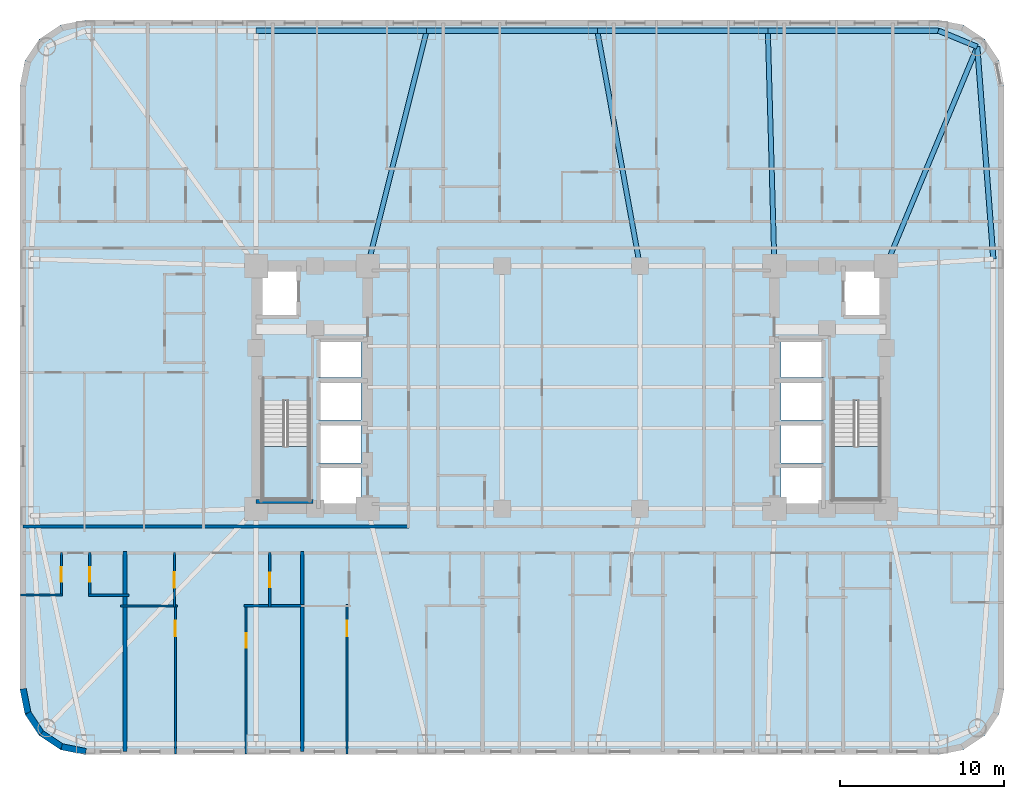
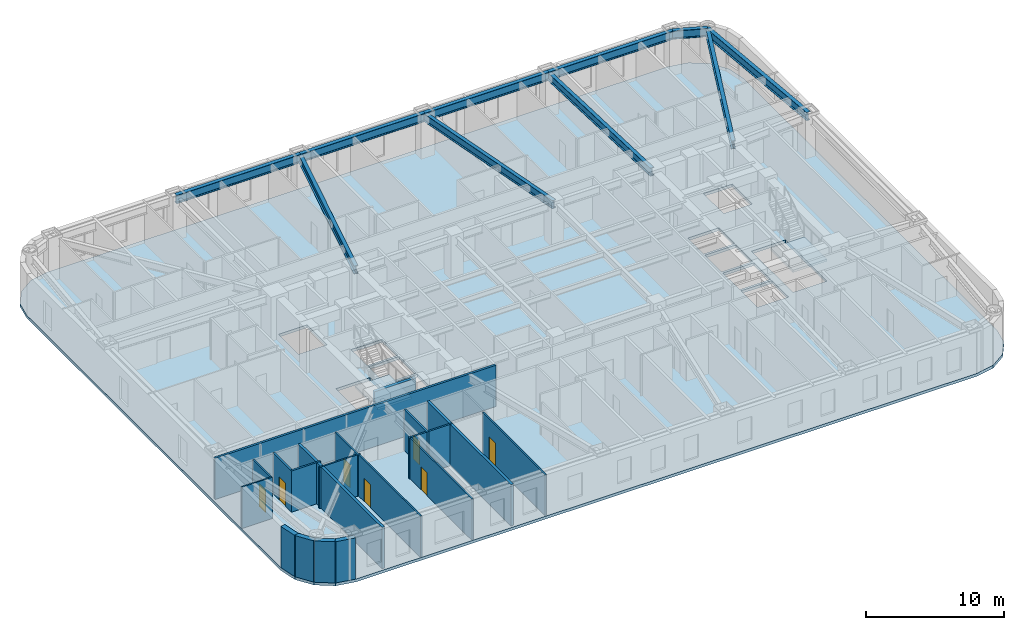
# One storey, part 2 of 11: 19 walls, 10 beams, 7 doors, 3 slabs, 7 openings, 2 elements without a shape of their own.
"""IFC4 building model written with IfcOpenShell, lengths in metres."""

from ifc_helpers import new_model, si_unit, direction, frame, frame_2d, origin, origin_2d, place, context, subcontext, project, spatial, polyline, rectangle, i_section, outline, extrude, material, layer, layer_set, material_profile, profile_set, type_object, element, fill, aggregate, save


model = new_model("IFC4")

# Units and contexts
model_context = context("Model", 3, precision=1e-05, world=origin(), true_north=direction((0.0, 1.0)))
body_context = subcontext(model_context, "Body", "Model", "MODEL_VIEW")
ifc_project = project(units=[si_unit("LENGTHUNIT", "METRE"), si_unit("AREAUNIT", "SQUARE_METRE"), si_unit("VOLUMEUNIT", "CUBIC_METRE"), si_unit("PLANEANGLEUNIT", "RADIAN"), si_unit("MASSUNIT", "GRAM", prefix="KILO")], contexts=[model_context])

# Site, building, storey
site_placement = place(None, origin())
site = spatial("IfcSite", under=ifc_project, at=site_placement, CompositionType="ELEMENT")
building_placement = place(site_placement, origin())
building = spatial("IfcBuilding", under=site, at=building_placement, Name="Voryun Gate Residences", CompositionType="ELEMENT")
storey_placement = place(building_placement, frame((0.0, 0.0, 37.699951171875)))
storey = spatial("IfcBuildingStorey", under=building, at=storey_placement, Name="L08", CompositionType="ELEMENT", Elevation=37.699951171875)

# Beams
ifc_material_1 = material(Name="Steel SM355", Category="steel")
ifc_material_profile_1 = material_profile(ifc_material_1, i_section(OverallWidth=0.320068359375, OverallDepth=0.75, WebThickness=0.01611328125, FlangeThickness=0.028076171875, FilletRadius=0.01806640625, at=origin_2d()), Name="H-750x320x16x28")
ifc_profile_set_1 = profile_set([ifc_material_profile_1], Name="Steel SM355")
beam_type_1 = type_object("IfcBeamType", Name="BM_EXO_SPANDREL_L", PredefinedType="SPANDREL", material=ifc_profile_set_1)
beam_1_placement = place(storey_placement, frame((25.75, 7.830078125, 3.275146484375), z_axis=(-0.075617360159, 0.997136908776, 0.0), x_axis=(-0.997136908776, -0.075617360159, 0.0)))
element("IfcBeam", 1, at=beam_1_placement, inside=storey, type_object=beam_type_1, Name="BM-L08-SPAND-09", PredefinedType="SPANDREL", context=body_context, shape_type="SweptSolid", body=[
    extrude(i_section(OverallWidth=0.320068359375, OverallDepth=0.75, WebThickness=0.01611328125, FlangeThickness=0.028076171875, FilletRadius=0.01806640625, at=origin_2d()), origin(), (0.0, 0.0, 1.0), 12.975830078125),
])
beam_2_placement = place(storey_placement, frame((24.768798828125, 20.768798828125, 3.275146484375), z_axis=(-0.923883376753, 0.382674151414, 0.0), x_axis=(-0.382674151414, -0.923883376753, 0.0)))
element("IfcBeam", 2, at=beam_2_placement, inside=storey, type_object=beam_type_1, Name="BM-L08-SPAND-10", PredefinedType="SPANDREL", context=body_context, shape_type="SweptSolid", body=[
    extrude(i_section(OverallWidth=0.320068359375, OverallDepth=0.75, WebThickness=0.01611328125, FlangeThickness=0.028076171875, FilletRadius=0.01806640625, at=origin_2d()), origin(), (0.0, 0.0, 1.0), 2.56396484375),
])
for number, where, z_axis, x_axis, name in (
    (3, (22.39990234375, 21.75, 3.275146484375), (-1.0, 0.0, 0.0), (0.0, -1.0, 0.0), "BM-L08-SPAND-11"),
    (4, (12.0, 21.75, 3.275146484375), (-1.0, 0.0, 0.0), (0.0, -1.0, 0.0), "BM-L08-SPAND-12"),
):
    element("IfcBeam", number, at=place(storey_placement, frame(where, z_axis=z_axis, x_axis=x_axis)), inside=storey, type_object=beam_type_1, Name=name, PredefinedType="SPANDREL", context=body_context, shape_type="SweptSolid", body=[
        extrude(i_section(OverallWidth=0.320068359375, OverallDepth=0.75, WebThickness=0.01611328125, FlangeThickness=0.028076171875, FilletRadius=0.01806640625, at=origin_2d()), origin(), (0.0, 0.0, 1.0), 10.39990234375),
    ])
beam_3_placement = place(storey_placement, frame((1.60009765625, 21.75, 3.275146484375), z_axis=(-1.0, 0.0, 0.0), x_axis=(0.0, -1.0, 0.0)))
element("IfcBeam", 5, at=beam_3_placement, inside=storey, type_object=beam_type_1, Name="BM-L08-SPAND-13", PredefinedType="SPANDREL", context=body_context, shape_type="SweptSolid", body=[
    extrude(i_section(OverallWidth=0.320068359375, OverallDepth=0.75, WebThickness=0.01611328125, FlangeThickness=0.028076171875, FilletRadius=0.01806640625, at=origin_2d()), origin(), (0.0, 0.0, 1.0), 10.400146484375),
])
beam_4_placement = place(storey_placement, frame((-8.800048828125, 21.75, 3.275146484375), z_axis=(-1.0, 0.0, 0.0), x_axis=(0.0, -1.0, 0.0)))
element("IfcBeam", 6, at=beam_4_placement, inside=storey, type_object=beam_type_1, Name="BM-L08-SPAND-14", PredefinedType="SPANDREL", context=body_context, shape_type="SweptSolid", body=[
    extrude(i_section(OverallWidth=0.320068359375, OverallDepth=0.75, WebThickness=0.01611328125, FlangeThickness=0.028076171875, FilletRadius=0.01806640625, at=origin_2d()), origin(), (0.0, 0.0, 1.0), 10.39990234375),
])
ifc_material_2 = material(Name="Steel SM355", Category="steel")
ifc_material_profile_2 = material_profile(ifc_material_2, i_section(OverallWidth=0.300048828125, OverallDepth=0.699951171875, WebThickness=0.012939453125, FlangeThickness=0.02392578125, FilletRadius=0.01806640625, at=origin_2d()), Name="H-700x300x13x24")
ifc_profile_set_2 = profile_set([ifc_material_profile_2], Name="Steel SM355")
beam_type_2 = type_object("IfcBeamType", Name="BM_GIRD_700", PredefinedType="USERDEFINED", material=ifc_profile_set_2)
beam_5_placement = place(storey_placement, frame((19.199951171875, 7.39990234375, 3.300048828125), z_axis=(0.384525607719, 0.923114324993, 0.0), x_axis=(-0.923114324993, 0.384525607719, 0.0)))
element("IfcBeam", 7, at=beam_5_placement, inside=storey, type_object=beam_type_2, Name="BM-L08-RAD-CNE", ObjectType="GIRDER", PredefinedType="USERDEFINED", context=body_context, shape_type="SweptSolid", body=[
    extrude(i_section(OverallWidth=0.300048828125, OverallDepth=0.699951171875, WebThickness=0.012939453125, FlangeThickness=0.02392578125, FilletRadius=0.01806640625, at=origin_2d()), origin(), (0.0, 0.0, 1.0), 14.482421875),
])
beam_6_placement = place(storey_placement, frame((12.39990234375, 7.39990234375, 3.300048828125), z_axis=(-0.0278567548, 0.999611925305, 0.0), x_axis=(-0.999611925305, -0.0278567548, 0.0)))
element("IfcBeam", 8, at=beam_6_placement, inside=storey, type_object=beam_type_2, Name="BM-L08-RAD-N2", ObjectType="GIRDER", PredefinedType="USERDEFINED", context=body_context, shape_type="SweptSolid", body=[
    extrude(i_section(OverallWidth=0.300048828125, OverallDepth=0.699951171875, WebThickness=0.012939453125, FlangeThickness=0.02392578125, FilletRadius=0.01806640625, at=origin_2d()), origin(), (0.0, 0.0, 1.0), 14.355712890625),
])
beam_7_placement = place(storey_placement, frame((4.199951171875, 7.39990234375, 3.300048828125), z_axis=(-0.178271088758, 0.983981411874, 0.0), x_axis=(-0.983981411874, -0.178271088758, 0.0)))
element("IfcBeam", 9, at=beam_7_placement, inside=storey, type_object=beam_type_2, Name="BM-L08-RAD-N3", ObjectType="GIRDER", PredefinedType="USERDEFINED", context=body_context, shape_type="SweptSolid", body=[
    extrude(i_section(OverallWidth=0.300048828125, OverallDepth=0.699951171875, WebThickness=0.012939453125, FlangeThickness=0.02392578125, FilletRadius=0.01806640625, at=origin_2d()), origin(), (0.0, 0.0, 1.0), 14.583740234375),
])
beam_8_placement = place(storey_placement, frame((-12.39990234375, 7.39990234375, 3.300048828125), z_axis=(0.243319869291, 0.969946102218, 0.0), x_axis=(-0.969946102218, 0.243319869291, 0.0)))
element("IfcBeam", 10, at=beam_8_placement, inside=storey, type_object=beam_type_2, Name="BM-L08-RAD-N4", ObjectType="GIRDER", PredefinedType="USERDEFINED", context=body_context, shape_type="SweptSolid", body=[
    extrude(i_section(OverallWidth=0.300048828125, OverallDepth=0.699951171875, WebThickness=0.012939453125, FlangeThickness=0.02392578125, FilletRadius=0.01806640625, at=origin_2d()), origin(), (0.0, 0.0, 1.0), 14.794677734375),
])

# Slab
ifc_material_3 = material(Name="Concrete C40/50", Category="concrete")
ifc_layer_1 = layer(ifc_material_3, 0.25, Name="SLB_RES_250")
ifc_layer_set_1 = layer_set([ifc_layer_1], Name="Concrete C40/50")
slab_type_1 = type_object("IfcSlabType", Name="SLB_RES_250", PredefinedType="FLOOR", material=ifc_layer_set_1)
slab_1_placement = place(storey_placement, frame((0.0, 0.0, -0.25)))
element("IfcSlab", 11, at=slab_1_placement, inside=storey, type_object=slab_type_1, Name="L08 Structural Floor Slab", PredefinedType="FLOOR", context=body_context, shape_type="SweptSolid", body=[
    extrude(outline(polyline([(-29.60009765625, -22.39990234375), (-31.130615234375, -22.095458984375), (-32.428466796875, -21.228515625), (-33.29541015625, -19.9306640625), (-33.60009765625, -18.39990234375), (-33.60009765625, 18.39990234375), (-33.29541015625, 19.9306640625), (-32.428466796875, 21.228515625), (-31.130615234375, 22.095458984375), (-29.60009765625, 22.39990234375), (22.39990234375, 22.39990234375), (23.9306640625, 22.095458984375), (25.228515625, 21.228515625), (26.095458984375, 19.9306640625), (26.39990234375, 18.39990234375), (26.39990234375, -18.39990234375), (26.095458984375, -19.9306640625), (25.228515625, -21.228515625), (23.9306640625, -22.095458984375), (22.39990234375, -22.39990234375), (-29.60009765625, -22.39990234375)]), holes=[polyline([(-12.800048828125, -4.800048828125), (-15.39990234375, -4.800048828125), (-15.39990234375, -7.199951171875), (-12.800048828125, -7.199951171875), (-12.800048828125, -4.800048828125)]), polyline([(-18.824951171875, -6.85009765625), (-15.97509765625, -6.85009765625), (-15.97509765625, -0.840087890625), (-18.824951171875, -0.840087890625), (-18.824951171875, -6.85009765625)]), polyline([(-12.800048828125, -4.60009765625), (-12.800048828125, -2.199951171875), (-15.39990234375, -2.199951171875), (-15.39990234375, -4.60009765625), (-12.800048828125, -4.60009765625)]), polyline([(-12.800048828125, 0.39990234375), (-15.39990234375, 0.39990234375), (-15.39990234375, -2.0), (-12.800048828125, -2.0), (-12.800048828125, 0.39990234375)]), polyline([(-12.800048828125, 0.60009765625), (-12.800048828125, 2.89990234375), (-15.39990234375, 2.89990234375), (-15.39990234375, 0.60009765625), (-12.800048828125, 0.60009765625)]), polyline([(-16.60009765625, 4.300048828125), (-16.60009765625, 7.199951171875), (-19.0, 7.199951171875), (-19.0, 4.300048828125), (-16.60009765625, 4.300048828125)]), polyline([(15.39990234375, -4.800048828125), (12.800048828125, -4.800048828125), (12.800048828125, -7.199951171875), (15.39990234375, -7.199951171875), (15.39990234375, -4.800048828125)]), polyline([(15.97509765625, -6.85009765625), (18.824951171875, -6.85009765625), (18.824951171875, -0.840087890625), (15.97509765625, -0.840087890625), (15.97509765625, -6.85009765625)]), polyline([(15.39990234375, -4.60009765625), (15.39990234375, -2.199951171875), (12.800048828125, -2.199951171875), (12.800048828125, -4.60009765625), (15.39990234375, -4.60009765625)]), polyline([(15.39990234375, 0.39990234375), (12.800048828125, 0.39990234375), (12.800048828125, -2.0), (15.39990234375, -2.0), (15.39990234375, 0.39990234375)]), polyline([(15.39990234375, 0.60009765625), (15.39990234375, 2.89990234375), (12.800048828125, 2.89990234375), (12.800048828125, 0.60009765625), (15.39990234375, 0.60009765625)]), polyline([(19.0, 4.300048828125), (19.0, 7.199951171875), (16.60009765625, 7.199951171875), (16.60009765625, 4.300048828125), (19.0, 4.300048828125)])]), origin(), (0.0, 0.0, 1.0), 0.25),
])

# Stair, slab
ifc_material_4 = material(Name="Concrete C40/50", Category="concrete")
stair_type = type_object("IfcStairType", Name="STR_CORE_DOGLEG_1350", PredefinedType="HALF_TURN_STAIR", material=ifc_material_4)
stair_1_placement = place(storey_placement, origin())
stair_1 = element("IfcStair", 12, at=stair_1_placement, inside=storey, type_object=stair_type, Name="L08 Special Escape Stair ST-W1", PredefinedType="HALF_TURN_STAIR")
ifc_material_5 = material(Name="Concrete C40/50", Category="concrete")
ifc_layer_2 = layer(ifc_material_5, 0.199951171875, Name="SLB_STAIR_LANDING_200")
ifc_layer_set_2 = layer_set([ifc_layer_2], Name="Concrete C40/50")
slab_type_2 = type_object("IfcSlabType", Name="SLB_STAIR_LANDING_200", PredefinedType="LANDING", material=ifc_layer_set_2)
slab_2_placement = place(storey_placement, frame((0.0, 0.0, 1.75)))
slab_2 = element("IfcSlab", 13, at=slab_2_placement, type_object=slab_type_2, Name="ST-W1 landing 1", PredefinedType="LANDING", context=body_context, shape_type="SweptSolid", body=[
    extrude(outline(polyline([(-18.824951171875, -3.60009765625), (-18.824951171875, -6.85009765625), (-15.97509765625, -6.85009765625), (-15.97509765625, -3.60009765625), (-18.824951171875, -3.60009765625)])), origin(), (0.0, 0.0, 1.0), 0.199951171875),
])
aggregate(stair_1, [slab_2])

stair_2_placement = place(storey_placement, origin())
stair_2 = element("IfcStair", 14, at=stair_2_placement, inside=storey, type_object=stair_type, Name="L08 Special Escape Stair ST-E1", PredefinedType="HALF_TURN_STAIR")
slab_3_placement = place(storey_placement, frame((0.0, 0.0, 1.75)))
slab_3 = element("IfcSlab", 15, at=slab_3_placement, type_object=slab_type_2, Name="ST-E1 landing 1", PredefinedType="LANDING", context=body_context, shape_type="SweptSolid", body=[
    extrude(outline(polyline([(15.97509765625, -3.60009765625), (15.97509765625, -6.85009765625), (18.824951171875, -6.85009765625), (18.824951171875, -3.60009765625), (15.97509765625, -3.60009765625)])), origin(), (0.0, 0.0, 1.0), 0.199951171875),
])
aggregate(stair_2, [slab_3])

# Walls
ifc_material_6 = material(Name="Gypsum acoustic fireboard")
ifc_layer_3 = layer(ifc_material_6, 0.179931640625, Name="W_CORR_RATED_180")
ifc_layer_set_3 = layer_set([ifc_layer_3], Name="Gypsum acoustic fireboard")
wall_type_1 = type_object("IfcWallType", Name="W_CORR_RATED_180", PredefinedType="PARTITIONING", material=ifc_layer_set_3)
wall_1_placement = place(storey_placement, frame((-33.409912109375, -8.489990234375, 0.0), z_axis=(0.0, 0.0, 1.0), x_axis=(1.0, 0.0, 0.0)))
element("IfcWall", 16, at=wall_1_placement, inside=storey, type_object=wall_type_1, Name="Partition wall WP-L08-CWING-WS", PredefinedType="PARTITIONING", context=body_context, shape_type="SweptSolid", body=[
    extrude(rectangle(XDim=23.530029296875, YDim=0.179931640625, at=frame_2d((11.76513671875, 0.0))), origin(), (0.0, 0.0, 1.0), 3.650146484375),
])
ifc_material_7 = material(Name="Granite masonry", Category="masonry")
ifc_layer_4 = layer(ifc_material_7, 0.3798828125, Name="W_EXT_GRANITE_380")
ifc_layer_set_4 = layer_set([ifc_layer_4], Name="Granite masonry")
wall_type_2 = type_object("IfcWallType", Name="W_EXT_GRANITE_380", PredefinedType="ELEMENTEDWALL", material=ifc_layer_set_4)
wall_2_placement = place(storey_placement, frame((-29.581298828125, -22.2099609375, 0.0), z_axis=(0.0, 0.0, 1.0), x_axis=(-0.980786132421, 0.195086038585, 0.0)))
element("IfcWall", 17, at=wall_2_placement, inside=storey, type_object=wall_type_2, Name="Exterior wall WEXT-L08-02", PredefinedType="ELEMENTEDWALL", context=body_context, shape_type="SweptSolid", body=[
    extrude(rectangle(XDim=1.504150390625, YDim=0.3798828125, at=frame_2d((0.751953125, 0.0))), origin(), (0.0, 0.0, 1.0), 3.650146484375),
])
wall_3_placement = place(storey_placement, frame((-31.056640625, -21.91650390625, 0.0), z_axis=(0.0, 0.0, 1.0), x_axis=(-0.831442848281, 0.555610286119, 0.0)))
element("IfcWall", 18, at=wall_3_placement, inside=storey, type_object=wall_type_2, Name="Exterior wall WEXT-L08-03", PredefinedType="ELEMENTEDWALL", context=body_context, shape_type="SweptSolid", body=[
    extrude(rectangle(XDim=1.485107421875, YDim=0.3798828125, at=frame_2d((0.74267578125, 0.0))), origin(), (0.0, 0.0, 1.0), 3.650146484375),
])
wall_4_placement = place(storey_placement, frame((-32.29150390625, -21.09130859375, 0.0), z_axis=(0.0, 0.0, 1.0), x_axis=(-0.555572577804, 0.831468045563, 0.0)))
element("IfcWall", 19, at=wall_4_placement, inside=storey, type_object=wall_type_2, Name="Exterior wall WEXT-L08-04", PredefinedType="ELEMENTEDWALL", context=body_context, shape_type="SweptSolid", body=[
    extrude(rectangle(XDim=1.48486328125, YDim=0.3798828125, at=frame_2d((0.742431640625, 0.0))), origin(), (0.0, 0.0, 1.0), 3.650146484375),
])
wall_5_placement = place(storey_placement, frame((-33.116455078125, -19.856689453125, 0.0), z_axis=(0.0, 0.0, 1.0), x_axis=(-0.195086038585, 0.980786132421, 0.0)))
element("IfcWall", 20, at=wall_5_placement, inside=storey, type_object=wall_type_2, Name="Exterior wall WEXT-L08-05", PredefinedType="ELEMENTEDWALL", context=body_context, shape_type="SweptSolid", body=[
    extrude(rectangle(XDim=1.504150390625, YDim=0.3798828125, at=frame_2d((0.751953125, 0.0))), origin(), (0.0, 0.0, 1.0), 3.650146484375),
])
ifc_material_8 = material(Name="Concrete C40/50", Category="concrete")
ifc_layer_5 = layer(ifc_material_8, 0.219970703125, Name="W_PARTY_ACOUSTIC_220")
ifc_layer_set_5 = layer_set([ifc_layer_5], Name="Concrete C40/50")
wall_type_3 = type_object("IfcWallType", Name="W_PARTY_ACOUSTIC_220", PredefinedType="PARTITIONING", material=ifc_layer_set_5)
for number, where, z_axis, x_axis, name in (
    (21, (-27.199951171875, -22.2099609375, 0.0), (0.0, 0.0, 1.0), (0.0, 1.0, 0.0), "Partition wall WP-L08-SPTY-1"),
    (22, (-16.39990234375, -22.2099609375, 0.0), (0.0, 0.0, 1.0), (0.0, 1.0, 0.0), "Partition wall WP-L08-SPTY-2"),
):
    element("IfcWall", number, at=place(storey_placement, frame(where, z_axis=z_axis, x_axis=x_axis)), inside=storey, type_object=wall_type_3, Name=name, PredefinedType="PARTITIONING", context=body_context, shape_type="SweptSolid", body=[
        extrude(rectangle(XDim=12.18994140625, YDim=0.219970703125, at=frame_2d((6.094970703125, 0.0))), origin(), (0.0, 0.0, 1.0), 3.650146484375),
    ])
ifc_material_9 = material(Name="Concrete C50/60", Category="concrete")
ifc_layer_6 = layer(ifc_material_9, 0.25, Name="W_SHAFT_RC250")
ifc_layer_set_6 = layer_set([ifc_layer_6], Name="Concrete C50/60")
wall_type_4 = type_object("IfcWallType", Name="W_SHAFT_RC250", PredefinedType="SOLIDWALL", material=ifc_layer_set_6)
wall_6_placement = place(storey_placement, frame((-19.199951171875, -6.965087890625, 0.0), z_axis=(0.0, 0.0, 1.0), x_axis=(1.0, 0.0, 0.0)))
element("IfcWall", 23, at=wall_6_placement, inside=storey, type_object=wall_type_4, Name="L08 Stair shaft structural wall W-STS", PredefinedType="SOLIDWALL", context=body_context, shape_type="SweptSolid", body=[
    extrude(rectangle(XDim=3.4599609375, YDim=0.25, at=frame_2d((1.72998046875, 0.0))), origin(), (0.0, 0.0, 1.0), 3.650146484375),
])

# Wall, opening, door
ifc_material_10 = material(Name="Gypsum acoustic partition")
ifc_layer_7 = layer(ifc_material_10, 0.125, Name="W_UNIT_PART_125")
ifc_layer_set_7 = layer_set([ifc_layer_7], Name="Gypsum acoustic partition")
wall_type_5 = type_object("IfcWallType", Name="W_UNIT_PART_125", PredefinedType="PARTITIONING", material=ifc_layer_set_7)
wall_7_placement = place(storey_placement, frame((-31.077880859375, -12.72998046875, 0.0), z_axis=(0.0, 0.0, 1.0), x_axis=(0.0, 1.0, 0.0)))
wall_7 = element("IfcWall", 24, at=wall_7_placement, inside=storey, type_object=wall_type_5, Name="Partition wall WP-L08-S1-CVK", PredefinedType="PARTITIONING", context=body_context, shape_type="SweptSolid", body=[
    extrude(rectangle(XDim=2.64990234375, YDim=0.125, at=frame_2d((1.324951171875, 0.0))), origin(), (0.0, 0.0, 1.0), 3.650146484375),
])
opening_1_placement = place(wall_7_placement, frame((0.875, 0.0, 0.0)))
opening_1 = element("IfcOpeningElement", 25, at=opening_1_placement, cuts=wall_7, Name="Opening D-INT-2", PredefinedType="OPENING", context=body_context, shape_type="SweptSolid", body=[
    extrude(rectangle(XDim=0.89990234375, YDim=2.050048828125, at=frame_2d((0.449951171875, 1.02490234375))), frame((0.0, 0.072509765625, 0.0), z_axis=(0.0, -1.0, 0.0), x_axis=(1.0, 0.0, 0.0)), (0.0, 0.0, 1.0), 0.14501953125),
])
ifc_material_11 = material(Name="Architectural oak veneer")
door_type_1 = type_object("IfcDoorType", Name="DR_INT_BATH_900", OperationType="NOTDEFINED", PredefinedType="DOOR", material=ifc_material_11)
door_1_placement = place(opening_1_placement, origin())
door_1 = element("IfcDoor", 26, at=door_1_placement, inside=storey, type_object=door_type_1, Name="Door DR-L08-S1-DK", OperationType="SINGLE_SWING_LEFT", OverallHeight=2.050048828125, OverallWidth=0.89990234375, PredefinedType="DOOR", context=body_context, shape_type="SweptSolid", body=[
    extrude(rectangle(XDim=0.89990234375, YDim=2.050048828125, at=frame_2d((0.449951171875, 1.02490234375))), frame((0.0, 0.02490234375, 0.0), z_axis=(0.0, -1.0, 0.0), x_axis=(1.0, 0.0, 0.0)), (0.0, 0.0, 1.0), 0.050048828125),
])
fill(opening_1, door_1)

# Wall
wall_8_placement = place(storey_placement, frame((-33.56005859375, -12.669921875, 0.0), z_axis=(0.0, 0.0, 1.0), x_axis=(1.0, 0.0, 0.0)))
element("IfcWall", 27, at=wall_8_placement, inside=storey, type_object=wall_type_5, Name="Partition wall WP-L08-S1-CHK", PredefinedType="PARTITIONING", context=body_context, shape_type="SweptSolid", body=[
    extrude(rectangle(XDim=2.5419921875, YDim=0.125, at=frame_2d((1.27099609375, 0.0))), origin(), (0.0, 0.0, 1.0), 3.650146484375),
])

# Wall, opening, door
wall_9_placement = place(storey_placement, frame((-24.1279296875, -22.360107421875, 0.0), z_axis=(0.0, 0.0, 1.0), x_axis=(0.0, 1.0, 0.0)))
wall_9 = element("IfcWall", 28, at=wall_9_placement, inside=storey, type_object=wall_type_5, Name="Partition wall WP-L08-S2-OVL", PredefinedType="PARTITIONING", context=body_context, shape_type="SweptSolid", body=[
    extrude(rectangle(XDim=9.1201171875, YDim=0.125, at=frame_2d((4.56005859375, 0.0))), origin(), (0.0, 0.0, 1.0), 3.650146484375),
])
opening_2_placement = place(wall_9_placement, frame((7.185791015625, 0.0, 0.0)))
opening_2 = element("IfcOpeningElement", 29, at=opening_2_placement, cuts=wall_9, Name="Opening D-INT-1", PredefinedType="OPENING", context=body_context, shape_type="SweptSolid", body=[
    extrude(rectangle(XDim=0.949951171875, YDim=2.050048828125, at=frame_2d((0.47509765625, 1.02490234375))), frame((0.0, 0.072509765625, 0.0), z_axis=(0.0, -1.0, 0.0), x_axis=(1.0, 0.0, 0.0)), (0.0, 0.0, 1.0), 0.14501953125),
])
ifc_material_12 = material(Name="Architectural oak veneer")
door_type_2 = type_object("IfcDoorType", Name="DR_INT_ROOM_950", OperationType="NOTDEFINED", PredefinedType="DOOR", material=ifc_material_12)
door_2_placement = place(opening_2_placement, origin())
door_2 = element("IfcDoor", 30, at=door_2_placement, inside=storey, type_object=door_type_2, Name="Door DR-L08-S2-DB2", OperationType="SINGLE_SWING_LEFT", OverallHeight=2.050048828125, OverallWidth=0.949951171875, PredefinedType="DOOR", context=body_context, shape_type="SweptSolid", body=[
    extrude(rectangle(XDim=0.949951171875, YDim=2.050048828125, at=frame_2d((0.47509765625, 1.02490234375))), frame((0.0, 0.02490234375, 0.0), z_axis=(0.0, -1.0, 0.0), x_axis=(1.0, 0.0, 0.0)), (0.0, 0.0, 1.0), 0.050048828125),
])
fill(opening_2, door_2)

wall_10_placement = place(storey_placement, frame((-19.81005859375, -22.360107421875, 0.0), z_axis=(0.0, 0.0, 1.0), x_axis=(0.0, 1.0, 0.0)))
wall_10 = element("IfcWall", 31, at=wall_10_placement, inside=storey, type_object=wall_type_5, Name="Partition wall WP-L08-S2-OVR", PredefinedType="PARTITIONING", context=body_context, shape_type="SweptSolid", body=[
    extrude(rectangle(XDim=9.1201171875, YDim=0.125, at=frame_2d((4.56005859375, 0.0))), origin(), (0.0, 0.0, 1.0), 3.650146484375),
])
opening_3_placement = place(wall_10_placement, frame((6.481201171875, 0.0, 0.0)))
opening_3 = element("IfcOpeningElement", 32, at=opening_3_placement, cuts=wall_10, Name="Opening D-INT-2", PredefinedType="OPENING", context=body_context, shape_type="SweptSolid", body=[
    extrude(rectangle(XDim=0.89990234375, YDim=2.050048828125, at=frame_2d((0.449951171875, 1.02490234375))), frame((0.0, 0.072509765625, 0.0), z_axis=(0.0, -1.0, 0.0), x_axis=(1.0, 0.0, 0.0)), (0.0, 0.0, 1.0), 0.14501953125),
])
door_3_placement = place(opening_3_placement, origin())
door_3 = element("IfcDoor", 33, at=door_3_placement, inside=storey, type_object=door_type_1, Name="Door DR-L08-S2-DMB", OperationType="SINGLE_SWING_RIGHT", OverallHeight=2.050048828125, OverallWidth=0.89990234375, PredefinedType="DOOR", context=body_context, shape_type="SweptSolid", body=[
    extrude(rectangle(XDim=0.89990234375, YDim=2.050048828125, at=frame_2d((0.449951171875, 1.02490234375))), frame((0.0, 0.02490234375, 0.0), z_axis=(0.0, -1.0, 0.0), x_axis=(1.0, 0.0, 0.0)), (0.0, 0.0, 1.0), 0.050048828125),
])
fill(opening_3, door_3)

wall_11_placement = place(storey_placement, frame((-24.19189453125, -13.39990234375, 0.0), z_axis=(0.0, 0.0, 1.0), x_axis=(0.0, 1.0, 0.0)))
wall_11 = element("IfcWall", 34, at=wall_11_placement, inside=storey, type_object=wall_type_5, Name="Partition wall WP-L08-S2-IVK", PredefinedType="PARTITIONING", context=body_context, shape_type="SweptSolid", body=[
    extrude(rectangle(XDim=3.31982421875, YDim=0.125, at=frame_2d((1.659912109375, 0.0))), origin(), (0.0, 0.0, 1.0), 3.650146484375),
])
opening_4_placement = place(wall_11_placement, frame((1.18505859375, 0.0, 0.0)))
opening_4 = element("IfcOpeningElement", 35, at=opening_4_placement, cuts=wall_11, Name="Opening D-INT-1", PredefinedType="OPENING", context=body_context, shape_type="SweptSolid", body=[
    extrude(rectangle(XDim=0.949951171875, YDim=2.050048828125, at=frame_2d((0.47509765625, 1.02490234375))), frame((0.0, 0.072509765625, 0.0), z_axis=(0.0, -1.0, 0.0), x_axis=(1.0, 0.0, 0.0)), (0.0, 0.0, 1.0), 0.14501953125),
])
door_4_placement = place(opening_4_placement, origin())
door_4 = element("IfcDoor", 36, at=door_4_placement, inside=storey, type_object=door_type_2, Name="Door DR-L08-S2-DK", OperationType="SINGLE_SWING_LEFT", OverallHeight=2.050048828125, OverallWidth=0.949951171875, PredefinedType="DOOR", context=body_context, shape_type="SweptSolid", body=[
    extrude(rectangle(XDim=0.949951171875, YDim=2.050048828125, at=frame_2d((0.47509765625, 1.02490234375))), frame((0.0, 0.02490234375, 0.0), z_axis=(0.0, -1.0, 0.0), x_axis=(1.0, 0.0, 0.0)), (0.0, 0.0, 1.0), 0.050048828125),
])
fill(opening_4, door_4)

# Wall
wall_12_placement = place(storey_placement, frame((-27.4599609375, -13.320068359375, 0.0), z_axis=(0.0, 0.0, 1.0), x_axis=(1.0, 0.0, 0.0)))
element("IfcWall", 37, at=wall_12_placement, inside=storey, type_object=wall_type_5, Name="Partition wall WP-L08-S2-HZK", PredefinedType="PARTITIONING", context=body_context, shape_type="SweptSolid", body=[
    extrude(rectangle(XDim=3.451904296875, YDim=0.125, at=frame_2d((1.72607421875, 0.0))), origin(), (0.0, 0.0, 1.0), 3.650146484375),
])

# Wall, opening, door
wall_13_placement = place(storey_placement, frame((-13.6640625, -22.360107421875, 0.0), z_axis=(0.0, 0.0, 1.0), x_axis=(0.0, 1.0, 0.0)))
wall_13 = element("IfcWall", 38, at=wall_13_placement, inside=storey, type_object=wall_type_5, Name="Partition wall WP-L08-S3-OVL", PredefinedType="PARTITIONING", context=body_context, shape_type="SweptSolid", body=[
    extrude(rectangle(XDim=9.1201171875, YDim=0.125, at=frame_2d((4.56005859375, 0.0))), origin(), (0.0, 0.0, 1.0), 3.650146484375),
])
opening_5_placement = place(wall_13_placement, frame((7.185791015625, 0.0, 0.0)))
opening_5 = element("IfcOpeningElement", 39, at=opening_5_placement, cuts=wall_13, Name="Opening D-INT-1", PredefinedType="OPENING", context=body_context, shape_type="SweptSolid", body=[
    extrude(rectangle(XDim=0.949951171875, YDim=2.050048828125, at=frame_2d((0.47509765625, 1.02490234375))), frame((0.0, 0.072509765625, 0.0), z_axis=(0.0, -1.0, 0.0), x_axis=(1.0, 0.0, 0.0)), (0.0, 0.0, 1.0), 0.14501953125),
])
door_5_placement = place(opening_5_placement, origin())
door_5 = element("IfcDoor", 40, at=door_5_placement, inside=storey, type_object=door_type_2, Name="Door DR-L08-S3-DB2", OperationType="SINGLE_SWING_LEFT", OverallHeight=2.050048828125, OverallWidth=0.949951171875, PredefinedType="DOOR", context=body_context, shape_type="SweptSolid", body=[
    extrude(rectangle(XDim=0.949951171875, YDim=2.050048828125, at=frame_2d((0.47509765625, 1.02490234375))), frame((0.0, 0.02490234375, 0.0), z_axis=(0.0, -1.0, 0.0), x_axis=(1.0, 0.0, 0.0)), (0.0, 0.0, 1.0), 0.050048828125),
])
fill(opening_5, door_5)

ifc_material_13 = material(Name="Gypsum moisture-resistant partition")
ifc_layer_8 = layer(ifc_material_13, 0.14990234375, Name="W_WET_PLUMB_150")
ifc_layer_set_8 = layer_set([ifc_layer_8], Name="Gypsum moisture-resistant partition")
wall_type_6 = type_object("IfcWallType", Name="W_WET_PLUMB_150", PredefinedType="PLUMBINGWALL", material=ifc_layer_set_8)
wall_14_placement = place(storey_placement, frame((-29.35400390625, -12.72998046875, 0.0), z_axis=(0.0, 0.0, 1.0), x_axis=(0.0, 1.0, 0.0)))
wall_14 = element("IfcWall", 41, at=wall_14_placement, inside=storey, type_object=wall_type_6, Name="Partition wall WP-L08-S1-CVB", PredefinedType="PLUMBINGWALL", context=body_context, shape_type="SweptSolid", body=[
    extrude(rectangle(XDim=2.64990234375, YDim=0.14990234375, at=frame_2d((1.324951171875, 0.0))), origin(), (0.0, 0.0, 1.0), 3.650146484375),
])
opening_6_placement = place(wall_14_placement, frame((0.875, 0.0, 0.0)))
opening_6 = element("IfcOpeningElement", 42, at=opening_6_placement, cuts=wall_14, Name="Opening D-INT-2", PredefinedType="OPENING", context=body_context, shape_type="SweptSolid", body=[
    extrude(rectangle(XDim=0.89990234375, YDim=2.050048828125, at=frame_2d((0.449951171875, 1.02490234375))), frame((0.0, 0.0849609375, 0.0), z_axis=(0.0, -1.0, 0.0), x_axis=(1.0, 0.0, 0.0)), (0.0, 0.0, 1.0), 0.169921875),
])
door_6_placement = place(opening_6_placement, origin())
door_6 = element("IfcDoor", 43, at=door_6_placement, inside=storey, type_object=door_type_1, Name="Door DR-L08-S1-DB", OperationType="SINGLE_SWING_RIGHT", OverallHeight=2.050048828125, OverallWidth=0.89990234375, PredefinedType="DOOR", context=body_context, shape_type="SweptSolid", body=[
    extrude(rectangle(XDim=0.89990234375, YDim=2.050048828125, at=frame_2d((0.449951171875, 1.02490234375))), frame((0.0, 0.02490234375, 0.0), z_axis=(0.0, -1.0, 0.0), x_axis=(1.0, 0.0, 0.0)), (0.0, 0.0, 1.0), 0.050048828125),
])
fill(opening_6, door_6)

# Walls
wall_15_placement = place(storey_placement, frame((-29.4140625, -12.669921875, 0.0), z_axis=(0.0, 0.0, 1.0), x_axis=(1.0, 0.0, 0.0)))
element("IfcWall", 44, at=wall_15_placement, inside=storey, type_object=wall_type_6, Name="Partition wall WP-L08-S1-CHB", PredefinedType="PLUMBINGWALL", context=body_context, shape_type="SweptSolid", body=[
    extrude(rectangle(XDim=2.47412109375, YDim=0.14990234375, at=frame_2d((1.237060546875, 0.0))), origin(), (0.0, 0.0, 1.0), 3.650146484375),
])
wall_16_placement = place(storey_placement, frame((-19.929931640625, -13.320068359375, 0.0), z_axis=(0.0, 0.0, 1.0), x_axis=(1.0, 0.0, 0.0)))
element("IfcWall", 45, at=wall_16_placement, inside=storey, type_object=wall_type_6, Name="Partition wall WP-L08-S2-HZB", PredefinedType="PLUMBINGWALL", context=body_context, shape_type="SweptSolid", body=[
    extrude(rectangle(XDim=3.60498046875, YDim=0.14990234375, at=frame_2d((1.802490234375, 0.0))), origin(), (0.0, 0.0, 1.0), 3.650146484375),
])

# Wall, opening, door
wall_17_placement = place(storey_placement, frame((-18.3798828125, -13.39990234375, 0.0), z_axis=(0.0, 0.0, 1.0), x_axis=(0.0, 1.0, 0.0)))
wall_17 = element("IfcWall", 46, at=wall_17_placement, inside=storey, type_object=wall_type_6, Name="Partition wall WP-L08-S2-IVB", PredefinedType="PLUMBINGWALL", context=body_context, shape_type="SweptSolid", body=[
    extrude(rectangle(XDim=3.31982421875, YDim=0.14990234375, at=frame_2d((1.659912109375, 0.0))), origin(), (0.0, 0.0, 1.0), 3.650146484375),
])
opening_7_placement = place(wall_17_placement, frame((1.2099609375, 0.0, 0.0)))
opening_7 = element("IfcOpeningElement", 47, at=opening_7_placement, cuts=wall_17, Name="Opening D-INT-2", PredefinedType="OPENING", context=body_context, shape_type="SweptSolid", body=[
    extrude(rectangle(XDim=0.89990234375, YDim=2.050048828125, at=frame_2d((0.449951171875, 1.02490234375))), frame((0.0, 0.0849609375, 0.0), z_axis=(0.0, -1.0, 0.0), x_axis=(1.0, 0.0, 0.0)), (0.0, 0.0, 1.0), 0.169921875),
])
door_7_placement = place(opening_7_placement, origin())
door_7 = element("IfcDoor", 48, at=door_7_placement, inside=storey, type_object=door_type_1, Name="Door DR-L08-S2-DB", OperationType="SINGLE_SWING_RIGHT", OverallHeight=2.050048828125, OverallWidth=0.89990234375, PredefinedType="DOOR", context=body_context, shape_type="SweptSolid", body=[
    extrude(rectangle(XDim=0.89990234375, YDim=2.050048828125, at=frame_2d((0.449951171875, 1.02490234375))), frame((0.0, 0.02490234375, 0.0), z_axis=(0.0, -1.0, 0.0), x_axis=(1.0, 0.0, 0.0)), (0.0, 0.0, 1.0), 0.050048828125),
])
fill(opening_7, door_7)

save(model, "model.ifc")
